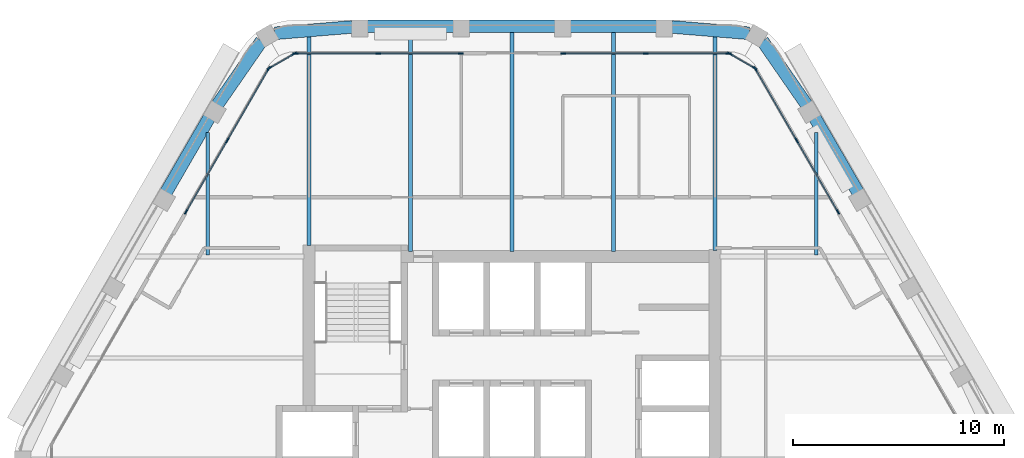
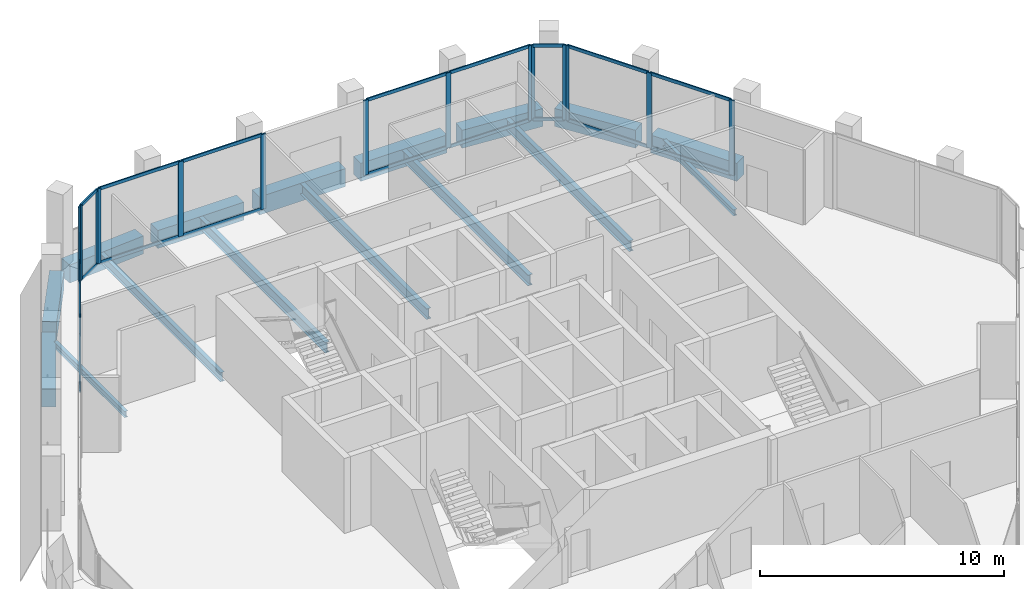
# One storey, part 5 of 13: 36 members, 16 beams, 6 elements without a shape of their own.
"""IFC4 building model written with IfcOpenShell, lengths in metres."""

from ifc_helpers import new_model, si_unit, direction, frame, origin, origin_2d, place, context, subcontext, project, spatial, rectangle, i_section, extrude, material, material_profile, profile_set, type_object, element, aggregate, save


model = new_model("IFC4")

# Units and contexts
model_context = context("Model", 3, precision=1e-05, world=origin(), true_north=direction((0.0, 1.0)))
body_context = subcontext(model_context, "Body", "Model", "MODEL_VIEW")
ifc_project = project(units=[si_unit("LENGTHUNIT", "METRE"), si_unit("AREAUNIT", "SQUARE_METRE"), si_unit("VOLUMEUNIT", "CUBIC_METRE"), si_unit("PLANEANGLEUNIT", "RADIAN"), si_unit("MASSUNIT", "GRAM", prefix="KILO")], contexts=[model_context])

# Site, building, storey
site_placement = place(None, origin())
site = spatial("IfcSite", under=ifc_project, at=site_placement, CompositionType="ELEMENT")
building_placement = place(site_placement, origin())
building = spatial("IfcBuilding", under=site, at=building_placement, Name="Kolab Exchange Tower", CompositionType="ELEMENT")
storey_placement = place(building_placement, frame((0.0, 0.0, 257.89990234375)))
storey = spatial("IfcBuildingStorey", under=building, at=storey_placement, Name="L57", CompositionType="ELEMENT", Elevation=257.89990234375)

# Beams
ifc_material_1 = material(Name="Steel S355", Category="steel")
ifc_material_profile_1 = material_profile(ifc_material_1, i_section(OverallWidth=0.1650390625, OverallDepth=0.31005859375, WebThickness=0.005859375, FlangeThickness=0.009765625, at=origin_2d()), Name="W310X39")
ifc_profile_set_1 = profile_set([ifc_material_profile_1], Name="Steel S355")
beam_type_1 = type_object("IfcBeamType", Name="FLOOR BEAM W310X39", PredefinedType="BEAM", material=ifc_profile_set_1)
for number, where, z_axis, x_axis, name in (
    (1, (-14.39990234375, 9.674072265625, -0.304931640625), (0.0, 1.0, 0.0), (-1.0, 0.0, 0.0), "beam/L57/fr/004"),
    (2, (14.39990234375, 9.674072265625, -0.304931640625), (0.0, 1.0, 0.0), (-1.0, 0.0, 0.0), "beam/L57/fr/019"),
):
    element("IfcBeam", number, at=place(storey_placement, frame(where, z_axis=z_axis, x_axis=x_axis)), inside=storey, type_object=beam_type_1, Name=name, PredefinedType="BEAM", context=body_context, shape_type="SweptSolid", body=[
        extrude(i_section(OverallWidth=0.1650390625, OverallDepth=0.31005859375, WebThickness=0.005859375, FlangeThickness=0.009765625, at=origin_2d()), origin(), (0.0, 0.0, 1.0), 5.793701171875),
    ])
ifc_material_profile_2 = material_profile(ifc_material_1, i_section(OverallWidth=0.18994140625, OverallDepth=0.45703125, WebThickness=0.009033203125, FlangeThickness=0.014404296875, at=origin_2d()), Name="W460X74")
ifc_profile_set_2 = profile_set([ifc_material_profile_2], Name="Steel S355")
beam_type_2 = type_object("IfcBeamType", Name="FLOOR BEAM W460X74", PredefinedType="BEAM", material=ifc_profile_set_2)
beam_1_placement = place(storey_placement, frame((-9.60009765625, 10.110107421875, -0.37841796875), z_axis=(0.0, 1.0, 0.0), x_axis=(-1.0, 0.0, 0.0)))
element("IfcBeam", 3, at=beam_1_placement, inside=storey, type_object=beam_type_2, Name="beam/L57/fr/006", PredefinedType="BEAM", context=body_context, shape_type="SweptSolid", body=[
    extrude(i_section(OverallWidth=0.18994140625, OverallDepth=0.45703125, WebThickness=0.009033203125, FlangeThickness=0.014404296875, at=origin_2d()), origin(), (0.0, 0.0, 1.0), 9.9169921875),
])
ifc_material_profile_3 = material_profile(ifc_material_1, i_section(OverallWidth=0.208984375, OverallDepth=0.532958984375, WebThickness=0.01025390625, FlangeThickness=0.015625, at=origin_2d()), Name="W530X92")
ifc_profile_set_3 = profile_set([ifc_material_profile_3], Name="Steel S355")
beam_type_3 = type_object("IfcBeamType", Name="FLOOR BEAM W530X92", PredefinedType="BEAM", material=ifc_profile_set_3)
for number, where, z_axis, x_axis, name in (
    (4, (-4.800048828125, 9.8349609375, -0.41650390625), (0.0, 1.0, 0.0), (-1.0, 0.0, 0.0), "beam/L57/fr/008"),
    (5, (0.0, 9.8349609375, -0.41650390625), (0.0, 1.0, 0.0), (-1.0, 0.0, 0.0), "beam/L57/fr/010"),
    (6, (4.800048828125, 9.8349609375, -0.41650390625), (0.0, 1.0, 0.0), (-1.0, 0.0, 0.0), "beam/L57/fr/012"),
):
    element("IfcBeam", number, at=place(storey_placement, frame(where, z_axis=z_axis, x_axis=x_axis)), inside=storey, type_object=beam_type_3, Name=name, PredefinedType="BEAM", context=body_context, shape_type="SweptSolid", body=[
        extrude(i_section(OverallWidth=0.208984375, OverallDepth=0.532958984375, WebThickness=0.01025390625, FlangeThickness=0.015625, at=origin_2d()), origin(), (0.0, 0.0, 1.0), 10.3896484375),
    ])
beam_2_placement = place(storey_placement, frame((9.60009765625, 9.885009765625, -0.41650390625), z_axis=(0.0, 1.0, 0.0), x_axis=(-1.0, 0.0, 0.0)))
element("IfcBeam", 7, at=beam_2_placement, inside=storey, type_object=beam_type_3, Name="beam/L57/fr/014", PredefinedType="BEAM", context=body_context, shape_type="SweptSolid", body=[
    extrude(i_section(OverallWidth=0.208984375, OverallDepth=0.532958984375, WebThickness=0.01025390625, FlangeThickness=0.015625, at=origin_2d()), origin(), (0.0, 0.0, 1.0), 10.14208984375),
])
ifc_material_2 = material(Name="Concrete C50/60", Category="concrete")
ifc_material_profile_4 = material_profile(ifc_material_2, rectangle(XDim=0.60009765625, YDim=0.89990234375, at=origin_2d()), Name="RC600X900")
ifc_profile_set_4 = profile_set([ifc_material_profile_4], Name="Concrete C50/60")
beam_type_4 = type_object("IfcBeamType", Name="SPANDREL BEAM 600X900 C50/60", PredefinedType="BEAM", material=ifc_profile_set_4)
beam_3_placement = place(storey_placement, frame((-11.216796875, 20.15576171875, -0.599853515625), z_axis=(0.996666751878, 0.081580547323, 0.0), x_axis=(-0.081580547323, 0.996666751878, 0.0)))
element("IfcBeam", 8, at=beam_3_placement, inside=storey, type_object=beam_type_4, Name="beam/L57/sp/F1-01", PredefinedType="BEAM", context=body_context, shape_type="SweptSolid", body=[
    extrude(rectangle(XDim=0.60009765625, YDim=0.89990234375, at=origin_2d()), origin(), (0.0, 0.0, 1.0), 3.6689453125),
])
for number, where, z_axis, x_axis, name in (
    (9, (-6.840087890625, 20.484619140625, -0.599853515625), (1.0, 0.0, 0.0), (0.0, 1.0, 0.0), "beam/L57/sp/F1-02"),
    (10, (-2.0400390625, 20.484619140625, -0.599853515625), (1.0, 0.0, 0.0), (0.0, 1.0, 0.0), "beam/L57/sp/F1-03"),
    (11, (2.760009765625, 20.484619140625, -0.599853515625), (1.0, 0.0, 0.0), (0.0, 1.0, 0.0), "beam/L57/sp/F1-04"),
):
    element("IfcBeam", number, at=place(storey_placement, frame(where, z_axis=z_axis, x_axis=x_axis)), inside=storey, type_object=beam_type_4, Name=name, PredefinedType="BEAM", context=body_context, shape_type="SweptSolid", body=[
        extrude(rectangle(XDim=0.60009765625, YDim=0.89990234375, at=origin_2d()), origin(), (0.0, 0.0, 1.0), 4.080078125),
    ])
for number, where, z_axis, x_axis, name in (
    (12, (7.56005859375, 20.455078125, -0.599853515625), (0.996666751878, -0.081580547323, 0.0), (0.081580547323, 0.996666751878, 0.0), "beam/L57/sp/F1-05"),
    (13, (11.846923828125, 19.7919921875, -0.599853515625), (0.569005808573, -0.822333502789, 0.0), (0.822333502789, 0.569005808573, 0.0), "beam/L57/sp/F2-01"),
):
    element("IfcBeam", number, at=place(storey_placement, frame(where, z_axis=z_axis, x_axis=x_axis)), inside=storey, type_object=beam_type_4, Name=name, PredefinedType="BEAM", context=body_context, shape_type="SweptSolid", body=[
        extrude(rectangle(XDim=0.60009765625, YDim=0.89990234375, at=origin_2d()), origin(), (0.0, 0.0, 1.0), 3.6689453125),
    ])
for number, where, z_axis, x_axis, name in (
    (14, (14.3203125, 16.166015625, -0.599853515625), (0.499955548806, -0.866051066172, 0.0), (0.866051066172, 0.499955548806, 0.0), "beam/L57/sp/F2-02"),
    (15, (-16.360107421875, 12.632568359375, -0.599853515625), (0.499955548806, 0.866051066172, 0.0), (-0.866051066172, 0.499955548806, 0.0), "beam/L57/sp/F6-04"),
):
    element("IfcBeam", number, at=place(storey_placement, frame(where, z_axis=z_axis, x_axis=x_axis)), inside=storey, type_object=beam_type_4, Name=name, PredefinedType="BEAM", context=body_context, shape_type="SweptSolid", body=[
        extrude(rectangle(XDim=0.60009765625, YDim=0.89990234375, at=origin_2d()), origin(), (0.0, 0.0, 1.0), 4.079833984375),
    ])
beam_4_placement = place(storey_placement, frame((-13.9345703125, 16.77490234375, -0.599853515625), z_axis=(0.569005808573, 0.822333502789, 0.0), x_axis=(-0.822333502789, 0.569005808573, 0.0)))
element("IfcBeam", 16, at=beam_4_placement, inside=storey, type_object=beam_type_4, Name="beam/L57/sp/F6-05", PredefinedType="BEAM", context=body_context, shape_type="SweptSolid", body=[
    extrude(rectangle(XDim=0.60009765625, YDim=0.89990234375, at=origin_2d()), origin(), (0.0, 0.0, 1.0), 3.6689453125),
])

# Curtain wall, members
ifc_material_3 = material(Name="Aluminium EN AW-6063 T6", Category="aluminium")
curtain_wall_type = type_object("IfcCurtainWallType", Name="UNITISED HIGH ZONE CURTAIN WALL", PredefinedType="NOTDEFINED", material=ifc_material_3)
curtain_wall_1_placement = place(storey_placement, origin())
curtain_wall_1 = element("IfcCurtainWall", 17, at=curtain_wall_1_placement, inside=storey, type_object=curtain_wall_type, Name="cw/L57/F1-1", PredefinedType="NOTDEFINED")
ifc_material_profile_5 = material_profile(ifc_material_3, rectangle(XDim=0.06005859375, YDim=0.239990234375, at=origin_2d()), Name="RECT 60X240")
ifc_profile_set_5 = profile_set([ifc_material_profile_5], Name="Aluminium EN AW-6063 T6")
member_type_1 = type_object("IfcMemberType", Name="UNITISED HIGH ZONE MULLION 60 X 240", PredefinedType="MULLION", material=ifc_profile_set_5)
member_1_placement = place(storey_placement, frame((-10.238037109375, 19.20458984375, 0.0), z_axis=(0.0, 0.0, 1.0), x_axis=(0.0, 1.0, 0.0)))
member_1 = element("IfcMember", 18, at=member_1_placement, type_object=member_type_1, Name="CW4 mullion 1", PredefinedType="MULLION", context=body_context, shape_type="SweptSolid", body=[
    extrude(rectangle(XDim=0.06005859375, YDim=0.239990234375, at=origin_2d()), origin(), (0.0, 0.0, 1.0), 3.75),
])
member_2_placement = place(storey_placement, frame((-6.333984375, 19.20458984375, 0.0), z_axis=(0.0, 0.0, 1.0), x_axis=(0.0, 1.0, 0.0)))
member_2 = element("IfcMember", 19, at=member_2_placement, type_object=member_type_1, Name="CW4 mullion 2", PredefinedType="MULLION", context=body_context, shape_type="SweptSolid", body=[
    extrude(rectangle(XDim=0.06005859375, YDim=0.239990234375, at=origin_2d()), origin(), (0.0, 0.0, 1.0), 3.75),
])
member_3_placement = place(storey_placement, frame((-2.429931640625, 19.20458984375, 0.0), z_axis=(0.0, 0.0, 1.0), x_axis=(0.0, 1.0, 0.0)))
member_3 = element("IfcMember", 20, at=member_3_placement, type_object=member_type_1, Name="CW4 mullion 3", PredefinedType="MULLION", context=body_context, shape_type="SweptSolid", body=[
    extrude(rectangle(XDim=0.06005859375, YDim=0.239990234375, at=origin_2d()), origin(), (0.0, 0.0, 1.0), 3.75),
])

curtain_wall_2_placement = place(storey_placement, origin())
curtain_wall_2 = element("IfcCurtainWall", 21, at=curtain_wall_2_placement, inside=storey, type_object=curtain_wall_type, Name="cw/L57/F1-2", PredefinedType="NOTDEFINED")
member_4_placement = place(storey_placement, frame((2.429931640625, 19.20458984375, 0.0), z_axis=(0.0, 0.0, 1.0), x_axis=(0.0, 1.0, 0.0)))
member_4 = element("IfcMember", 22, at=member_4_placement, type_object=member_type_1, Name="CW4 mullion 1", PredefinedType="MULLION", context=body_context, shape_type="SweptSolid", body=[
    extrude(rectangle(XDim=0.06005859375, YDim=0.239990234375, at=origin_2d()), origin(), (0.0, 0.0, 1.0), 3.75),
])
member_5_placement = place(storey_placement, frame((6.333984375, 19.20458984375, 0.0), z_axis=(0.0, 0.0, 1.0), x_axis=(0.0, 1.0, 0.0)))
member_5 = element("IfcMember", 23, at=member_5_placement, type_object=member_type_1, Name="CW4 mullion 2", PredefinedType="MULLION", context=body_context, shape_type="SweptSolid", body=[
    extrude(rectangle(XDim=0.06005859375, YDim=0.239990234375, at=origin_2d()), origin(), (0.0, 0.0, 1.0), 3.75),
])
member_6_placement = place(storey_placement, frame((10.238037109375, 19.20458984375, 0.0), z_axis=(0.0, 0.0, 1.0), x_axis=(0.0, 1.0, 0.0)))
member_6 = element("IfcMember", 24, at=member_6_placement, type_object=member_type_1, Name="CW4 mullion 3", PredefinedType="MULLION", context=body_context, shape_type="SweptSolid", body=[
    extrude(rectangle(XDim=0.06005859375, YDim=0.239990234375, at=origin_2d()), origin(), (0.0, 0.0, 1.0), 3.75),
])

curtain_wall_3_placement = place(storey_placement, origin())
curtain_wall_3 = element("IfcCurtainWall", 25, at=curtain_wall_3_placement, inside=storey, type_object=curtain_wall_type, Name="cw/L57/F2-1", PredefinedType="NOTDEFINED")
member_7_placement = place(storey_placement, frame((11.5126953125, 18.46875, 0.0), z_axis=(0.0, 0.0, 1.0), x_axis=(0.866025385493, 0.500000031681, 0.0)))
member_7 = element("IfcMember", 26, at=member_7_placement, type_object=member_type_1, Name="CW4 mullion 1", PredefinedType="MULLION", context=body_context, shape_type="SweptSolid", body=[
    extrude(rectangle(XDim=0.06005859375, YDim=0.239990234375, at=origin_2d()), origin(), (0.0, 0.0, 1.0), 3.75),
])
member_8_placement = place(storey_placement, frame((13.464599609375, 15.087646484375, 0.0), z_axis=(0.0, 0.0, 1.0), x_axis=(0.866025385493, 0.500000031681, 0.0)))
member_8 = element("IfcMember", 27, at=member_8_placement, type_object=member_type_1, Name="CW4 mullion 2", PredefinedType="MULLION", context=body_context, shape_type="SweptSolid", body=[
    extrude(rectangle(XDim=0.06005859375, YDim=0.239990234375, at=origin_2d()), origin(), (0.0, 0.0, 1.0), 3.75),
])
member_9_placement = place(storey_placement, frame((15.416748046875, 11.706787109375, 0.0), z_axis=(0.0, 0.0, 1.0), x_axis=(0.866025385493, 0.500000031681, 0.0)))
member_9 = element("IfcMember", 28, at=member_9_placement, type_object=member_type_1, Name="CW4 mullion 3", PredefinedType="MULLION", context=body_context, shape_type="SweptSolid", body=[
    extrude(rectangle(XDim=0.06005859375, YDim=0.239990234375, at=origin_2d()), origin(), (0.0, 0.0, 1.0), 3.75),
])

curtain_wall_4_placement = place(storey_placement, origin())
curtain_wall_4 = element("IfcCurtainWall", 29, at=curtain_wall_4_placement, inside=storey, type_object=curtain_wall_type, Name="cw/L57/F6-2", PredefinedType="NOTDEFINED")
member_10_placement = place(storey_placement, frame((-15.416748046875, 11.706787109375, 0.0), z_axis=(0.0, 0.0, 1.0), x_axis=(-0.866025385493, 0.500000031681, 0.0)))
member_10 = element("IfcMember", 30, at=member_10_placement, type_object=member_type_1, Name="CW4 mullion 1", PredefinedType="MULLION", context=body_context, shape_type="SweptSolid", body=[
    extrude(rectangle(XDim=0.06005859375, YDim=0.239990234375, at=origin_2d()), origin(), (0.0, 0.0, 1.0), 3.75),
])
member_11_placement = place(storey_placement, frame((-13.464599609375, 15.087646484375, 0.0), z_axis=(0.0, 0.0, 1.0), x_axis=(-0.866025385493, 0.500000031681, 0.0)))
member_11 = element("IfcMember", 31, at=member_11_placement, type_object=member_type_1, Name="CW4 mullion 2", PredefinedType="MULLION", context=body_context, shape_type="SweptSolid", body=[
    extrude(rectangle(XDim=0.06005859375, YDim=0.239990234375, at=origin_2d()), origin(), (0.0, 0.0, 1.0), 3.75),
])
member_12_placement = place(storey_placement, frame((-11.5126953125, 18.46875, 0.0), z_axis=(0.0, 0.0, 1.0), x_axis=(-0.866025385493, 0.500000031681, 0.0)))
member_12 = element("IfcMember", 32, at=member_12_placement, type_object=member_type_1, Name="CW4 mullion 3", PredefinedType="MULLION", context=body_context, shape_type="SweptSolid", body=[
    extrude(rectangle(XDim=0.06005859375, YDim=0.239990234375, at=origin_2d()), origin(), (0.0, 0.0, 1.0), 3.75),
])

curtain_wall_5_placement = place(storey_placement, origin())
curtain_wall_5 = element("IfcCurtainWall", 33, at=curtain_wall_5_placement, inside=storey, type_object=curtain_wall_type, Name="cw/L57/F1F2-corner", PredefinedType="NOTDEFINED")
member_13_placement = place(storey_placement, frame((10.2939453125, 19.189697265625, 0.0), z_axis=(0.0, 0.0, 1.0), x_axis=(0.50000002237, 0.866025390869, 0.0)))
member_13 = element("IfcMember", 34, at=member_13_placement, type_object=member_type_1, Name="CW4 mullion 1", PredefinedType="MULLION", context=body_context, shape_type="SweptSolid", body=[
    extrude(rectangle(XDim=0.06005859375, YDim=0.239990234375, at=origin_2d()), origin(), (0.0, 0.0, 1.0), 3.75),
])
member_14_placement = place(storey_placement, frame((11.4716796875, 18.509521484375, 0.0), z_axis=(0.0, 0.0, 1.0), x_axis=(0.50000002237, 0.866025390869, 0.0)))
member_14 = element("IfcMember", 35, at=member_14_placement, type_object=member_type_1, Name="CW4 mullion 2", PredefinedType="MULLION", context=body_context, shape_type="SweptSolid", body=[
    extrude(rectangle(XDim=0.06005859375, YDim=0.239990234375, at=origin_2d()), origin(), (0.0, 0.0, 1.0), 3.75),
])

curtain_wall_6_placement = place(storey_placement, origin())
curtain_wall_6 = element("IfcCurtainWall", 36, at=curtain_wall_6_placement, inside=storey, type_object=curtain_wall_type, Name="cw/L57/F6F1-corner", PredefinedType="NOTDEFINED")
member_15_placement = place(storey_placement, frame((-11.4716796875, 18.509521484375, 0.0), z_axis=(0.0, 0.0, 1.0), x_axis=(-0.50000002237, 0.866025390869, 0.0)))
member_15 = element("IfcMember", 37, at=member_15_placement, type_object=member_type_1, Name="CW4 mullion 1", PredefinedType="MULLION", context=body_context, shape_type="SweptSolid", body=[
    extrude(rectangle(XDim=0.06005859375, YDim=0.239990234375, at=origin_2d()), origin(), (0.0, 0.0, 1.0), 3.75),
])
member_16_placement = place(storey_placement, frame((-10.2939453125, 19.189697265625, 0.0), z_axis=(0.0, 0.0, 1.0), x_axis=(-0.50000002237, 0.866025390869, 0.0)))
member_16 = element("IfcMember", 38, at=member_16_placement, type_object=member_type_1, Name="CW4 mullion 2", PredefinedType="MULLION", context=body_context, shape_type="SweptSolid", body=[
    extrude(rectangle(XDim=0.06005859375, YDim=0.239990234375, at=origin_2d()), origin(), (0.0, 0.0, 1.0), 3.75),
])

# Member
ifc_material_profile_6 = material_profile(ifc_material_3, rectangle(XDim=0.06005859375, YDim=0.159912109375, at=origin_2d()), Name="RECT 60X160")
ifc_profile_set_6 = profile_set([ifc_material_profile_6], Name="Aluminium EN AW-6063 T6")
member_type_2 = type_object("IfcMemberType", Name="UNITISED HIGH ZONE TRANSOM 60 X 160", PredefinedType="USERDEFINED", material=ifc_profile_set_6)
member_17_placement = place(storey_placement, frame((-10.2080078125, 19.20458984375, 0.030029296875), z_axis=(1.0, 0.0, 0.0), x_axis=(0.0, 1.0, 0.0)))
member_17 = element("IfcMember", 39, at=member_17_placement, type_object=member_type_2, Name="CW4 transom 1.1", ObjectType="TRANSOM", PredefinedType="USERDEFINED", context=body_context, shape_type="SweptSolid", body=[
    extrude(rectangle(XDim=0.06005859375, YDim=0.159912109375, at=origin_2d()), origin(), (0.0, 0.0, 1.0), 3.843994140625),
])

member_18_placement = place(storey_placement, frame((-10.2080078125, 19.20458984375, 3.72021484375), z_axis=(1.0, 0.0, 0.0), x_axis=(0.0, 1.0, 0.0)))
member_18 = element("IfcMember", 40, at=member_18_placement, type_object=member_type_2, Name="CW4 transom 1.2", ObjectType="TRANSOM", PredefinedType="USERDEFINED", context=body_context, shape_type="SweptSolid", body=[
    extrude(rectangle(XDim=0.06005859375, YDim=0.159912109375, at=origin_2d()), origin(), (0.0, 0.0, 1.0), 3.843994140625),
])

member_19_placement = place(storey_placement, frame((-6.303955078125, 19.20458984375, 0.030029296875), z_axis=(1.0, 0.0, 0.0), x_axis=(0.0, 1.0, 0.0)))
member_19 = element("IfcMember", 41, at=member_19_placement, type_object=member_type_2, Name="CW4 transom 2.1", ObjectType="TRANSOM", PredefinedType="USERDEFINED", context=body_context, shape_type="SweptSolid", body=[
    extrude(rectangle(XDim=0.06005859375, YDim=0.159912109375, at=origin_2d()), origin(), (0.0, 0.0, 1.0), 3.843994140625),
])

member_20_placement = place(storey_placement, frame((-6.303955078125, 19.20458984375, 3.72021484375), z_axis=(1.0, 0.0, 0.0), x_axis=(0.0, 1.0, 0.0)))
member_20 = element("IfcMember", 42, at=member_20_placement, type_object=member_type_2, Name="CW4 transom 2.2", ObjectType="TRANSOM", PredefinedType="USERDEFINED", context=body_context, shape_type="SweptSolid", body=[
    extrude(rectangle(XDim=0.06005859375, YDim=0.159912109375, at=origin_2d()), origin(), (0.0, 0.0, 1.0), 3.843994140625),
])

aggregate(curtain_wall_1, [member_1, member_2, member_3, member_17, member_18, member_19, member_20])

member_21_placement = place(storey_placement, frame((2.4599609375, 19.20458984375, 0.030029296875), z_axis=(1.0, 0.0, 0.0), x_axis=(0.0, 1.0, 0.0)))
member_21 = element("IfcMember", 43, at=member_21_placement, type_object=member_type_2, Name="CW4 transom 1.1", ObjectType="TRANSOM", PredefinedType="USERDEFINED", context=body_context, shape_type="SweptSolid", body=[
    extrude(rectangle(XDim=0.06005859375, YDim=0.159912109375, at=origin_2d()), origin(), (0.0, 0.0, 1.0), 3.843994140625),
])

member_22_placement = place(storey_placement, frame((2.4599609375, 19.20458984375, 3.72021484375), z_axis=(1.0, 0.0, 0.0), x_axis=(0.0, 1.0, 0.0)))
member_22 = element("IfcMember", 44, at=member_22_placement, type_object=member_type_2, Name="CW4 transom 1.2", ObjectType="TRANSOM", PredefinedType="USERDEFINED", context=body_context, shape_type="SweptSolid", body=[
    extrude(rectangle(XDim=0.06005859375, YDim=0.159912109375, at=origin_2d()), origin(), (0.0, 0.0, 1.0), 3.843994140625),
])

member_23_placement = place(storey_placement, frame((6.364013671875, 19.20458984375, 0.030029296875), z_axis=(1.0, 0.0, 0.0), x_axis=(0.0, 1.0, 0.0)))
member_23 = element("IfcMember", 45, at=member_23_placement, type_object=member_type_2, Name="CW4 transom 2.1", ObjectType="TRANSOM", PredefinedType="USERDEFINED", context=body_context, shape_type="SweptSolid", body=[
    extrude(rectangle(XDim=0.06005859375, YDim=0.159912109375, at=origin_2d()), origin(), (0.0, 0.0, 1.0), 3.843994140625),
])

member_24_placement = place(storey_placement, frame((6.364013671875, 19.20458984375, 3.72021484375), z_axis=(1.0, 0.0, 0.0), x_axis=(0.0, 1.0, 0.0)))
member_24 = element("IfcMember", 46, at=member_24_placement, type_object=member_type_2, Name="CW4 transom 2.2", ObjectType="TRANSOM", PredefinedType="USERDEFINED", context=body_context, shape_type="SweptSolid", body=[
    extrude(rectangle(XDim=0.06005859375, YDim=0.159912109375, at=origin_2d()), origin(), (0.0, 0.0, 1.0), 3.843994140625),
])

aggregate(curtain_wall_2, [member_4, member_5, member_6, member_21, member_22, member_23, member_24])

member_25_placement = place(storey_placement, frame((11.527587890625, 18.442626953125, 0.030029296875), z_axis=(0.500039492609, -0.866002601515, 0.0), x_axis=(0.866002601515, 0.500039492609, 0.0)))
member_25 = element("IfcMember", 47, at=member_25_placement, type_object=member_type_2, Name="CW4 transom 1.1", ObjectType="TRANSOM", PredefinedType="USERDEFINED", context=body_context, shape_type="SweptSolid", body=[
    extrude(rectangle(XDim=0.06005859375, YDim=0.159912109375, at=origin_2d()), origin(), (0.0, 0.0, 1.0), 3.843994140625),
])

member_26_placement = place(storey_placement, frame((11.527587890625, 18.442626953125, 3.72021484375), z_axis=(0.500039492609, -0.866002601515, 0.0), x_axis=(0.866002601515, 0.500039492609, 0.0)))
member_26 = element("IfcMember", 48, at=member_26_placement, type_object=member_type_2, Name="CW4 transom 1.2", ObjectType="TRANSOM", PredefinedType="USERDEFINED", context=body_context, shape_type="SweptSolid", body=[
    extrude(rectangle(XDim=0.06005859375, YDim=0.159912109375, at=origin_2d()), origin(), (0.0, 0.0, 1.0), 3.843994140625),
])

member_27_placement = place(storey_placement, frame((13.479736328125, 15.061767578125, 0.030029296875), z_axis=(0.499964356602, -0.866045981532, 0.0), x_axis=(0.866045981532, 0.499964356602, 0.0)))
member_27 = element("IfcMember", 49, at=member_27_placement, type_object=member_type_2, Name="CW4 transom 2.1", ObjectType="TRANSOM", PredefinedType="USERDEFINED", context=body_context, shape_type="SweptSolid", body=[
    extrude(rectangle(XDim=0.06005859375, YDim=0.159912109375, at=origin_2d()), origin(), (0.0, 0.0, 1.0), 3.843994140625),
])

member_28_placement = place(storey_placement, frame((13.479736328125, 15.061767578125, 3.72021484375), z_axis=(0.499964356602, -0.866045981532, 0.0), x_axis=(0.866045981532, 0.499964356602, 0.0)))
member_28 = element("IfcMember", 50, at=member_28_placement, type_object=member_type_2, Name="CW4 transom 2.2", ObjectType="TRANSOM", PredefinedType="USERDEFINED", context=body_context, shape_type="SweptSolid", body=[
    extrude(rectangle(XDim=0.06005859375, YDim=0.159912109375, at=origin_2d()), origin(), (0.0, 0.0, 1.0), 3.843994140625),
])

aggregate(curtain_wall_3, [member_7, member_8, member_9, member_25, member_26, member_27, member_28])

member_29_placement = place(storey_placement, frame((-15.401611328125, 11.732666015625, 0.030029296875), z_axis=(0.499964356602, 0.866045981532, 0.0), x_axis=(-0.866045981532, 0.499964356602, 0.0)))
member_29 = element("IfcMember", 51, at=member_29_placement, type_object=member_type_2, Name="CW4 transom 1.1", ObjectType="TRANSOM", PredefinedType="USERDEFINED", context=body_context, shape_type="SweptSolid", body=[
    extrude(rectangle(XDim=0.06005859375, YDim=0.159912109375, at=origin_2d()), origin(), (0.0, 0.0, 1.0), 3.843994140625),
])

member_30_placement = place(storey_placement, frame((-15.401611328125, 11.732666015625, 3.72021484375), z_axis=(0.499964356602, 0.866045981532, 0.0), x_axis=(-0.866045981532, 0.499964356602, 0.0)))
member_30 = element("IfcMember", 52, at=member_30_placement, type_object=member_type_2, Name="CW4 transom 1.2", ObjectType="TRANSOM", PredefinedType="USERDEFINED", context=body_context, shape_type="SweptSolid", body=[
    extrude(rectangle(XDim=0.06005859375, YDim=0.159912109375, at=origin_2d()), origin(), (0.0, 0.0, 1.0), 3.843994140625),
])

member_31_placement = place(storey_placement, frame((-13.44970703125, 15.11376953125, 0.030029296875), z_axis=(0.500039492609, 0.866002601515, 0.0), x_axis=(-0.866002601515, 0.500039492609, 0.0)))
member_31 = element("IfcMember", 53, at=member_31_placement, type_object=member_type_2, Name="CW4 transom 2.1", ObjectType="TRANSOM", PredefinedType="USERDEFINED", context=body_context, shape_type="SweptSolid", body=[
    extrude(rectangle(XDim=0.06005859375, YDim=0.159912109375, at=origin_2d()), origin(), (0.0, 0.0, 1.0), 3.843994140625),
])

member_32_placement = place(storey_placement, frame((-13.44970703125, 15.11376953125, 3.72021484375), z_axis=(0.500039492609, 0.866002601515, 0.0), x_axis=(-0.866002601515, 0.500039492609, 0.0)))
member_32 = element("IfcMember", 54, at=member_32_placement, type_object=member_type_2, Name="CW4 transom 2.2", ObjectType="TRANSOM", PredefinedType="USERDEFINED", context=body_context, shape_type="SweptSolid", body=[
    extrude(rectangle(XDim=0.06005859375, YDim=0.159912109375, at=origin_2d()), origin(), (0.0, 0.0, 1.0), 3.843994140625),
])

aggregate(curtain_wall_4, [member_10, member_11, member_12, member_29, member_30, member_31, member_32])

member_33_placement = place(storey_placement, frame((10.31982421875, 19.174560546875, 0.030029296875), z_axis=(0.866085525409, -0.49989585183, 0.0), x_axis=(0.49989585183, 0.866085525409, 0.0)))
member_33 = element("IfcMember", 55, at=member_33_placement, type_object=member_type_2, Name="CW4 transom 1.1", ObjectType="TRANSOM", PredefinedType="USERDEFINED", context=body_context, shape_type="SweptSolid", body=[
    extrude(rectangle(XDim=0.06005859375, YDim=0.159912109375, at=origin_2d()), origin(), (0.0, 0.0, 1.0), 1.300048828125),
])

member_34_placement = place(storey_placement, frame((10.31982421875, 19.174560546875, 3.72021484375), z_axis=(0.866085525409, -0.49989585183, 0.0), x_axis=(0.49989585183, 0.866085525409, 0.0)))
member_34 = element("IfcMember", 56, at=member_34_placement, type_object=member_type_2, Name="CW4 transom 1.2", ObjectType="TRANSOM", PredefinedType="USERDEFINED", context=body_context, shape_type="SweptSolid", body=[
    extrude(rectangle(XDim=0.06005859375, YDim=0.159912109375, at=origin_2d()), origin(), (0.0, 0.0, 1.0), 1.300048828125),
])

aggregate(curtain_wall_5, [member_13, member_14, member_33, member_34])

member_35_placement = place(storey_placement, frame((-11.44580078125, 18.524658203125, 0.030029296875), z_axis=(0.866085525409, 0.49989585183, 0.0), x_axis=(-0.49989585183, 0.866085525409, 0.0)))
member_35 = element("IfcMember", 57, at=member_35_placement, type_object=member_type_2, Name="CW4 transom 1.1", ObjectType="TRANSOM", PredefinedType="USERDEFINED", context=body_context, shape_type="SweptSolid", body=[
    extrude(rectangle(XDim=0.06005859375, YDim=0.159912109375, at=origin_2d()), origin(), (0.0, 0.0, 1.0), 1.300048828125),
])

member_36_placement = place(storey_placement, frame((-11.44580078125, 18.524658203125, 3.72021484375), z_axis=(0.866085525409, 0.49989585183, 0.0), x_axis=(-0.49989585183, 0.866085525409, 0.0)))
member_36 = element("IfcMember", 58, at=member_36_placement, type_object=member_type_2, Name="CW4 transom 1.2", ObjectType="TRANSOM", PredefinedType="USERDEFINED", context=body_context, shape_type="SweptSolid", body=[
    extrude(rectangle(XDim=0.06005859375, YDim=0.159912109375, at=origin_2d()), origin(), (0.0, 0.0, 1.0), 1.300048828125),
])

aggregate(curtain_wall_6, [member_15, member_16, member_35, member_36])

save(model, "model.ifc")
